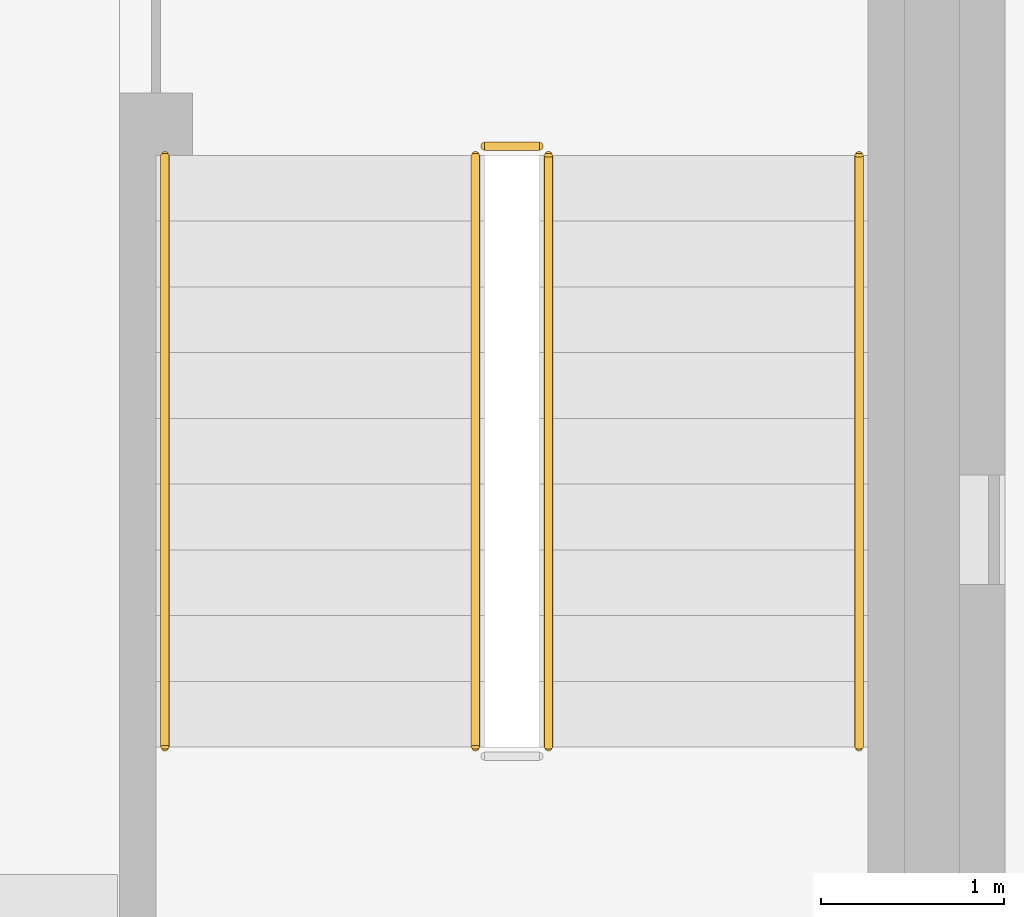
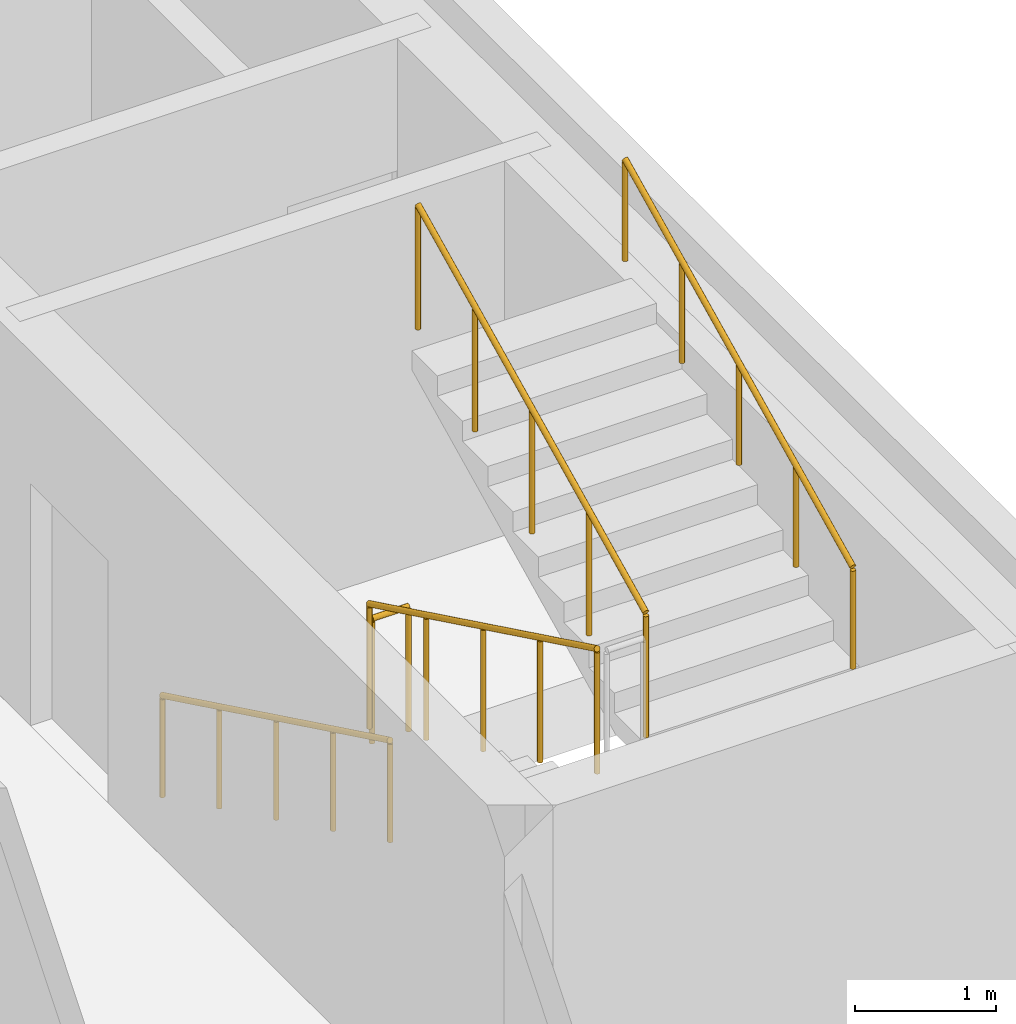
# One storey, part 20 of 22: 5 railings.
"""IFC4 building model written with IfcOpenShell, lengths in metres."""

from ifc_helpers import new_model, si_unit, direction, frame, origin, origin_2d, place, context, subcontext, project, spatial, circle, extrude, material, type_object, element, save


model = new_model("IFC4")

# Units and contexts
model_context = context("Model", 3, precision=1e-05, world=origin(), true_north=direction((0.0, 1.0)))
body_context = subcontext(model_context, "Body", "Model", "MODEL_VIEW")
ifc_project = project(units=[si_unit("LENGTHUNIT", "METRE"), si_unit("AREAUNIT", "SQUARE_METRE"), si_unit("VOLUMEUNIT", "CUBIC_METRE"), si_unit("PLANEANGLEUNIT", "RADIAN"), si_unit("MASSUNIT", "GRAM", prefix="KILO")], contexts=[model_context])

# Site, building, storey
site_placement = place(None, origin())
site = spatial("IfcSite", under=ifc_project, at=site_placement, CompositionType="ELEMENT")
building_placement = place(site_placement, origin())
building = spatial("IfcBuilding", under=site, at=building_placement, Name="Cobrizo Arcos Hotel Tower", CompositionType="ELEMENT")
storey_placement = place(building_placement, frame((0.0, 0.0, 191.0)))
storey = spatial("IfcBuildingStorey", under=building, at=storey_placement, Name="L49", CompositionType="ELEMENT", Elevation=191.0)

# Railings
ifc_material = material(Name="Stainless steel railing", Category="steel")
railing_type_1 = type_object("IfcRailingType", Name="Stair guard 1100", PredefinedType="GUARDRAIL", material=ifc_material)
railing_1_placement = place(storey_placement, frame((17.75, -5.5, 0.175048828125)))
element("IfcRailing", 1, at=railing_1_placement, inside=storey, type_object=railing_type_1, Name="L49 ST-E stair guard 1", PredefinedType="GUARDRAIL", context=body_context, shape_type="SweptSolid", body=[
    extrude(circle(Radius=0.02392578125, at=origin_2d()), frame((0.0, 0.0, 1.076171875), z_axis=(0.0, -0.899372665325, 0.437182809435), x_axis=(1.0, 0.0, 0.0)), (0.0, 0.0, 1.0), 3.6025390625),
    extrude(circle(Radius=0.02099609375, at=origin_2d()), origin(), (0.0, 0.0, 1.0), 1.052001953125),
    extrude(circle(Radius=0.02099609375, at=origin_2d()), frame((0.0, -0.81005859375, 0.393798828125)), (0.0, 0.0, 1.0), 1.052001953125),
    extrude(circle(Radius=0.02099609375, at=origin_2d()), frame((0.0, -1.6201171875, 0.78759765625)), (0.0, 0.0, 1.0), 1.052001953125),
    extrude(circle(Radius=0.02099609375, at=origin_2d()), frame((0.0, -2.429931640625, 1.18115234375)), (0.0, 0.0, 1.0), 1.052001953125),
    extrude(circle(Radius=0.02099609375, at=origin_2d()), frame((0.0, -3.239990234375, 1.574951171875)), (0.0, 0.0, 1.0), 1.052001953125),
])
railing_2_placement = place(storey_placement, frame((18.14990234375, -8.739990234375, 1.925048828125)))
element("IfcRailing", 2, at=railing_2_placement, inside=storey, type_object=railing_type_1, Name="L49 ST-E stair guard 3", PredefinedType="GUARDRAIL", context=body_context, shape_type="SweptSolid", body=[
    extrude(circle(Radius=0.02392578125, at=origin_2d()), frame((0.0, 0.0, 1.076171875), z_axis=(0.0, 0.899372665325, 0.437182809435), x_axis=(-1.0, 0.0, 0.0)), (0.0, 0.0, 1.0), 3.6025390625),
    extrude(circle(Radius=0.02099609375, at=origin_2d()), origin(), (0.0, 0.0, 1.0), 1.052001953125),
    extrude(circle(Radius=0.02099609375, at=origin_2d()), frame((0.0, 0.81005859375, 0.393798828125)), (0.0, 0.0, 1.0), 1.052001953125),
    extrude(circle(Radius=0.02099609375, at=origin_2d()), frame((0.0, 1.6201171875, 0.78759765625)), (0.0, 0.0, 1.0), 1.052001953125),
    extrude(circle(Radius=0.02099609375, at=origin_2d()), frame((0.0, 2.429931640625, 1.18115234375)), (0.0, 0.0, 1.0), 1.052001953125),
    extrude(circle(Radius=0.02099609375, at=origin_2d()), frame((0.0, 3.239990234375, 1.574951171875)), (0.0, 0.0, 1.0), 1.052001953125),
])
railing_3_placement = place(storey_placement, frame((17.800048828125, -5.449951171875, 0.0)))
element("IfcRailing", 3, at=railing_3_placement, inside=storey, type_object=railing_type_1, Name="L49 ST-E stair guard 4", PredefinedType="GUARDRAIL", context=body_context, shape_type="SweptSolid", body=[
    extrude(circle(Radius=0.02392578125, at=origin_2d()), frame((0.0, 0.0, 1.076171875), z_axis=(1.0, 0.0, 0.0), x_axis=(0.0, 1.0, 0.0)), (0.0, 0.0, 1.0), 0.300048828125),
    extrude(circle(Radius=0.02099609375, at=origin_2d()), origin(), (0.0, 0.0, 1.0), 1.052001953125),
    extrude(circle(Radius=0.02099609375, at=origin_2d()), frame((0.300048828125, 0.0, 0.0)), (0.0, 0.0, 1.0), 1.052001953125),
])
railing_type_2 = type_object("IfcRailingType", Name="Stair handrail", PredefinedType="HANDRAIL", material=ifc_material)
railing_4_placement = place(storey_placement, frame((16.050048828125, -5.5, 0.175048828125)))
element("IfcRailing", 4, at=railing_4_placement, inside=storey, type_object=railing_type_2, Name="L49 ST-E stair handrail 1", PredefinedType="HANDRAIL", context=body_context, shape_type="SweptSolid", body=[
    extrude(circle(Radius=0.02392578125, at=origin_2d()), frame((0.0, 0.0, 0.8759765625), z_axis=(0.0, -0.899372665325, 0.437182809435), x_axis=(1.0, 0.0, 0.0)), (0.0, 0.0, 1.0), 3.6025390625),
    extrude(circle(Radius=0.02099609375, at=origin_2d()), origin(), (0.0, 0.0, 1.0), 0.851806640625),
    extrude(circle(Radius=0.02099609375, at=origin_2d()), frame((0.0, -0.81005859375, 0.393798828125)), (0.0, 0.0, 1.0), 0.851806640625),
    extrude(circle(Radius=0.02099609375, at=origin_2d()), frame((0.0, -1.6201171875, 0.78759765625)), (0.0, 0.0, 1.0), 0.851806640625),
    extrude(circle(Radius=0.02099609375, at=origin_2d()), frame((0.0, -2.429931640625, 1.18115234375)), (0.0, 0.0, 1.0), 0.851806640625),
    extrude(circle(Radius=0.02099609375, at=origin_2d()), frame((0.0, -3.239990234375, 1.574951171875)), (0.0, 0.0, 1.0), 0.851806640625),
])
railing_5_placement = place(storey_placement, frame((19.85009765625, -8.739990234375, 1.925048828125)))
element("IfcRailing", 5, at=railing_5_placement, inside=storey, type_object=railing_type_2, Name="L49 ST-E stair handrail 2", PredefinedType="HANDRAIL", context=body_context, shape_type="SweptSolid", body=[
    extrude(circle(Radius=0.02392578125, at=origin_2d()), frame((0.0, 0.0, 0.8759765625), z_axis=(0.0, 0.899372665325, 0.437182809435), x_axis=(-1.0, 0.0, 0.0)), (0.0, 0.0, 1.0), 3.6025390625),
    extrude(circle(Radius=0.02099609375, at=origin_2d()), origin(), (0.0, 0.0, 1.0), 0.851806640625),
    extrude(circle(Radius=0.02099609375, at=origin_2d()), frame((0.0, 0.81005859375, 0.393798828125)), (0.0, 0.0, 1.0), 0.851806640625),
    extrude(circle(Radius=0.02099609375, at=origin_2d()), frame((0.0, 1.6201171875, 0.78759765625)), (0.0, 0.0, 1.0), 0.851806640625),
    extrude(circle(Radius=0.02099609375, at=origin_2d()), frame((0.0, 2.429931640625, 1.18115234375)), (0.0, 0.0, 1.0), 0.851806640625),
    extrude(circle(Radius=0.02099609375, at=origin_2d()), frame((0.0, 3.239990234375, 1.574951171875)), (0.0, 0.0, 1.0), 0.851806640625),
])

save(model, "model.ifc")
